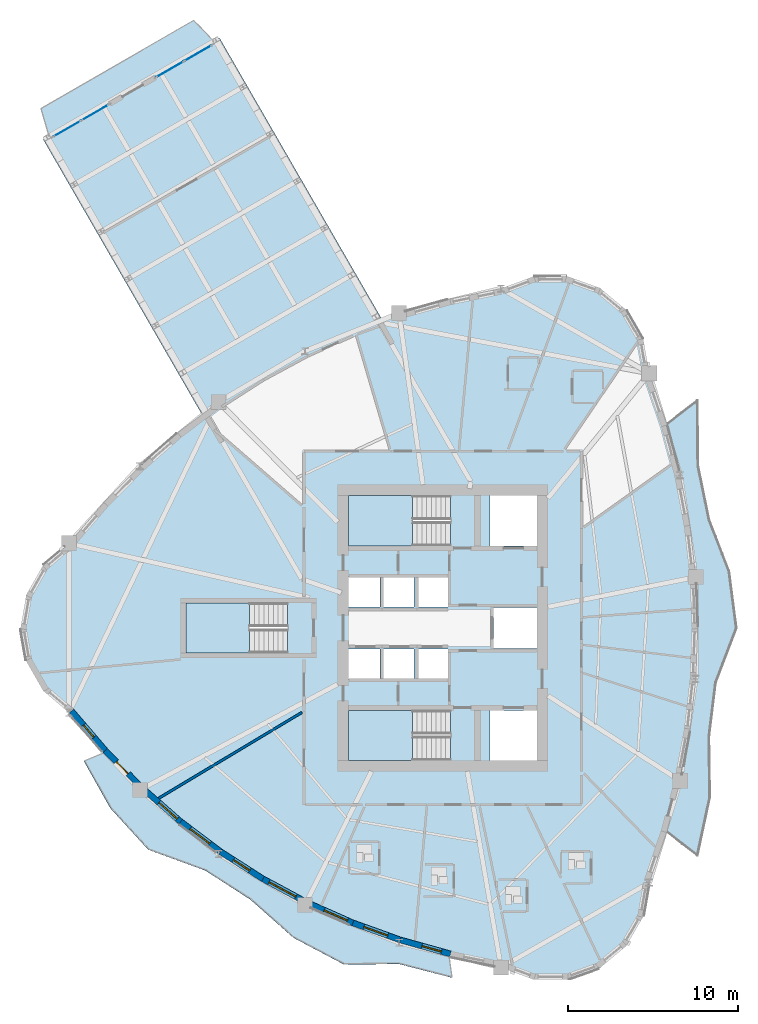
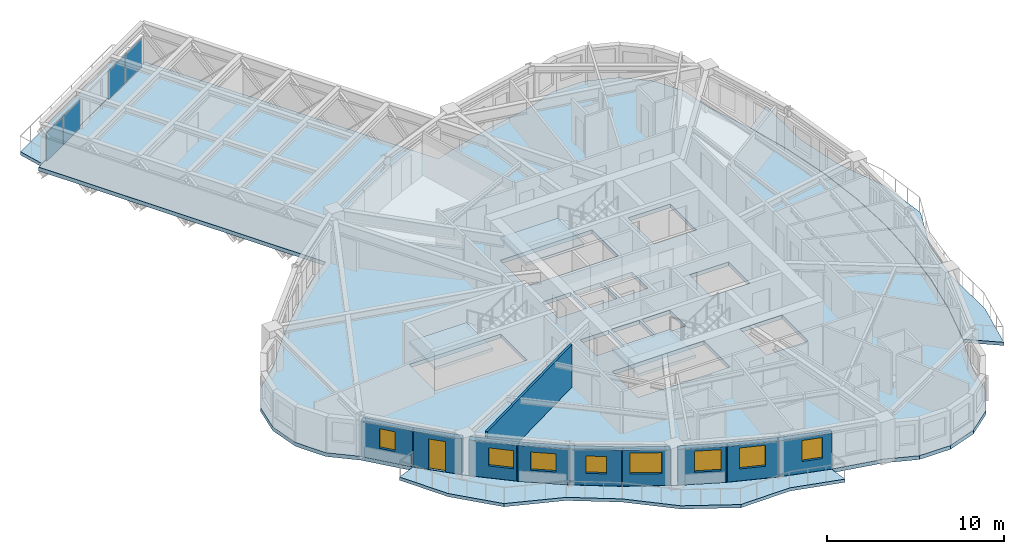
# One storey, part 4 of 14: 10 walls, 8 windows, 7 slabs, 4 plates, 1 door, 9 openings, 5 elements without a shape of their own.
"""IFC4 building model written with IfcOpenShell, lengths in metres."""

from ifc_helpers import new_model, si_unit, direction, frame, frame_2d, origin, origin_2d, place, context, subcontext, project, spatial, polyline, rectangle, outline, extrude, source, transform, mapped, material, layer, layer_set, type_object, element, fill, aggregate, save


model = new_model("IFC4")

# Units and contexts
model_context = context("Model", 3, precision=1e-05, world=origin(), true_north=direction((0.0, 1.0)))
body_context = subcontext(model_context, "Body", "Model", "MODEL_VIEW")
ifc_project = project(units=[si_unit("LENGTHUNIT", "METRE"), si_unit("AREAUNIT", "SQUARE_METRE"), si_unit("VOLUMEUNIT", "CUBIC_METRE"), si_unit("PLANEANGLEUNIT", "RADIAN"), si_unit("MASSUNIT", "GRAM", prefix="KILO")], contexts=[model_context])

# Site, building, storey
site_placement = place(None, origin())
site = spatial("IfcSite", under=ifc_project, at=site_placement, CompositionType="ELEMENT")
building_placement = place(site_placement, origin())
building = spatial("IfcBuilding", under=site, at=building_placement, Name="Qafzar Sky-Pleat Residences", CompositionType="ELEMENT")
storey_placement = place(building_placement, frame((0.0, 0.0, 83.199951171875)))
storey = spatial("IfcBuildingStorey", under=building, at=storey_placement, Name="L24", CompositionType="ELEMENT", Elevation=83.199951171875)

# Slabs
ifc_material_1 = material(Name="Concrete C40/50", Category="concrete")
ifc_layer_1 = layer(ifc_material_1, 0.219970703125)
ifc_layer_set_1 = layer_set([ifc_layer_1], Name="Concrete C40/50")
slab_type_1 = type_object("IfcSlabType", Name="SLAB-BAL-220", PredefinedType="USERDEFINED", material=ifc_layer_set_1)
slab_1_placement = place(storey_placement, frame((0.0, 0.0, -0.219970703125)))
element("IfcSlab", 1, at=slab_1_placement, inside=storey, type_object=slab_type_1, Name="L24 Pleated Stone Balcony 1", ObjectType="BALCONY", PredefinedType="USERDEFINED", context=body_context, shape_type="SweptSolid", body=[
    extrude(outline(polyline([(44.369384765625, 16.98291015625), (44.94091796875, 19.98828125), (45.28369140625, 22.994140625), (45.398193359375, 26.0), (45.28369140625, 29.005859375), (44.94091796875, 32.01171875), (44.369384765625, 35.01708984375), (43.5693359375, 38.0224609375), (45.4140625, 39.447021484375), (45.45361328125, 35.614501953125), (46.107421875, 32.425537109375), (47.291748046875, 29.35498046875), (47.72900390625, 26.0), (46.50341796875, 22.781982421875), (46.107421875, 19.574462890625), (46.154296875, 15.99951171875), (45.4140625, 12.552978515625), (43.5693359375, 13.9775390625), (44.369384765625, 16.98291015625)])), origin(), (0.0, 0.0, 1.0), 0.219970703125),
])
slab_2_placement = place(storey_placement, frame((0.0, 0.0, -0.219970703125)))
element("IfcSlab", 2, at=slab_2_placement, inside=storey, type_object=slab_type_1, Name="L24 Pleated Stone Balcony 2", ObjectType="BALCONY", PredefinedType="USERDEFINED", context=body_context, shape_type="SweptSolid", body=[
    extrude(outline(polyline([(12.482421875, 16.444580078125), (14.745849609375, 14.45703125), (17.123779296875, 12.6630859375), (19.615966796875, 11.063232421875), (22.22265625, 9.657470703125), (24.943359375, 8.445556640625), (27.7783203125, 7.427490234375), (30.727294921875, 6.603271484375), (30.89990234375, 5.37744140625), (27.763671875, 6.189453125), (24.543701171875, 6.149169921875), (21.543212890625, 7.73583984375), (19.010009765625, 9.98388671875), (16.34130859375, 11.703857421875), (12.98828125, 12.92626953125), (10.7470703125, 15.3759765625), (9.19091796875, 18.14892578125), (10.333251953125, 18.625732421875), (12.482421875, 16.444580078125)])), origin(), (0.0, 0.0, 1.0), 0.219970703125),
])
ifc_layer_2 = layer(ifc_material_1, 0.22998046875)
ifc_layer_set_2 = layer_set([ifc_layer_2], Name="Concrete C40/50")
slab_type_2 = type_object("IfcSlabType", Name="SLAB-BAL-230", PredefinedType="USERDEFINED", material=ifc_layer_set_2)
slab_3_placement = place(storey_placement, frame((0.0, 0.0, -0.22998046875)))
element("IfcSlab", 3, at=slab_3_placement, inside=storey, type_object=slab_type_2, Name="L24 SB-2 Tip Observation Balcony", ObjectType="BALCONY", PredefinedType="USERDEFINED", context=body_context, shape_type="SweptSolid", body=[
    extrude(outline(polyline([(16.830810546875, 60.6162109375), (15.666748046875, 61.83203125), (6.66015625, 56.632080078125), (7.131103515625, 55.01611328125), (16.830810546875, 60.6162109375)])), origin(), (0.0, 0.0, 1.0), 0.22998046875),
])

# Stair, slab
stair_type = type_object("IfcStairType", Name="STAIR-H320", PredefinedType="HALF_TURN_STAIR", material=ifc_material_1)
stair_1_placement = place(storey_placement, origin())
stair_1 = element("IfcStair", 4, at=stair_1_placement, inside=storey, type_object=stair_type, Name="L24 Protected Exit Stair ST1", PredefinedType="HALF_TURN_STAIR")
ifc_layer_3 = layer(ifc_material_1, 0.199951171875)
ifc_layer_set_3 = layer_set([ifc_layer_3], Name="Concrete C40/50")
slab_type_3 = type_object("IfcSlabType", Name="SLAB-LANDING-200", PredefinedType="LANDING", material=ifc_layer_set_3)
slab_4_placement = place(storey_placement, frame((0.0, 0.0, 1.400146484375)))
slab_4 = element("IfcSlab", 5, at=slab_4_placement, type_object=slab_type_3, Name="ST1 landing 1", PredefinedType="LANDING", context=body_context, shape_type="SweptSolid", body=[
    extrude(outline(polyline([(28.56005859375, 21.14990234375), (24.800048828125, 21.14990234375), (24.800048828125, 18.199951171875), (28.56005859375, 18.199951171875), (28.56005859375, 21.14990234375)])), origin(), (0.0, 0.0, 1.0), 0.199951171875),
])
aggregate(stair_1, [slab_4])

stair_2_placement = place(storey_placement, origin())
stair_2 = element("IfcStair", 6, at=stair_2_placement, inside=storey, type_object=stair_type, Name="L24 Protected Exit Stair ST2", PredefinedType="HALF_TURN_STAIR")
slab_5_placement = place(storey_placement, frame((0.0, 0.0, 1.400146484375)))
slab_5 = element("IfcSlab", 7, at=slab_5_placement, type_object=slab_type_3, Name="ST2 landing 1", PredefinedType="LANDING", context=body_context, shape_type="SweptSolid", body=[
    extrude(outline(polyline([(28.56005859375, 33.800048828125), (24.800048828125, 33.800048828125), (24.800048828125, 30.85009765625), (28.56005859375, 30.85009765625), (28.56005859375, 33.800048828125)])), origin(), (0.0, 0.0, 1.0), 0.199951171875),
])
aggregate(stair_2, [slab_5])

stair_3_placement = place(storey_placement, origin())
stair_3 = element("IfcStair", 8, at=stair_3_placement, inside=storey, type_object=stair_type, Name="L24 Protected Exit Stair ST3", PredefinedType="HALF_TURN_STAIR")
slab_6_placement = place(storey_placement, frame((0.0, 0.0, 1.400146484375)))
slab_6 = element("IfcSlab", 9, at=slab_6_placement, type_object=slab_type_3, Name="ST3 landing 1", PredefinedType="LANDING", context=body_context, shape_type="SweptSolid", body=[
    extrude(outline(polyline([(18.9599609375, 27.47509765625), (15.199951171875, 27.47509765625), (15.199951171875, 24.52490234375), (18.9599609375, 24.52490234375), (18.9599609375, 27.47509765625)])), origin(), (0.0, 0.0, 1.0), 0.199951171875),
])
aggregate(stair_3, [slab_6])

# Slab
ifc_layer_4 = layer(ifc_material_1, 0.264892578125)
ifc_layer_set_4 = layer_set([ifc_layer_4], Name="Concrete C40/50")
slab_type_4 = type_object("IfcSlabType", Name="SLAB-SB-265", PredefinedType="FLOOR", material=ifc_layer_set_4)
slab_7_placement = place(storey_placement, frame((0.0, 0.0, -0.264892578125)))
element("IfcSlab", 10, at=slab_7_placement, inside=storey, type_object=slab_type_4, Name="L24 Structural Floor Slab", PredefinedType="FLOOR", context=body_context, shape_type="SweptSolid", body=[
    extrude(outline(polyline([(27.778564453125, 44.560546875), (30.7255859375, 45.384765625), (33.787109375, 46.015380859375), (35.68212890625, 46.72314453125), (37.705078125, 46.73681640625), (39.609619140625, 46.054931640625), (41.164306640625, 44.760498046875), (42.1796875, 43.010986328125), (42.532470703125, 41.01904296875), (43.559814453125, 38.01513671875), (44.35888671875, 35.011474609375), (44.929443359375, 32.007568359375), (45.27197265625, 29.00390625), (45.385986328125, 26.0), (45.27197265625, 22.99609375), (44.929443359375, 19.992431640625), (44.35888671875, 16.988525390625), (43.559814453125, 13.98486328125), (42.532470703125, 10.98095703125), (42.1796875, 8.989013671875), (41.164306640625, 7.239501953125), (39.609619140625, 5.945068359375), (37.705078125, 5.26318359375), (35.68212890625, 5.27685546875), (33.787109375, 5.984619140625), (30.7255859375, 6.615234375), (27.778564453125, 7.439453125), (24.945556640625, 8.457275390625), (22.2265625, 9.668701171875), (19.621826171875, 11.07373046875), (17.13134765625, 12.672607421875), (14.7548828125, 14.46484375), (12.49267578125, 16.45068359375), (10.344482421875, 18.63037109375), (8.310302734375, 21.003662109375), (6.790283203125, 22.298828125), (5.7998046875, 24.03271484375), (5.455810546875, 26.0), (5.7998046875, 27.96728515625), (6.790283203125, 29.701171875), (8.310302734375, 30.996337890625), (10.344482421875, 33.36962890625), (12.49267578125, 35.54931640625), (14.7548828125, 37.53515625), (16.153076171875, 38.589599609375), (6.792236328125, 54.802978515625), (17.1845703125, 60.802978515625), (26.771240234375, 44.19873046875), (27.778564453125, 44.560546875)]), holes=[polyline([(30.797119140625, 21.14990234375), (24.800048828125, 21.14990234375), (24.800048828125, 18.199951171875), (30.797119140625, 18.199951171875), (30.797119140625, 21.14990234375)]), polyline([(30.797119140625, 33.800048828125), (24.800048828125, 33.800048828125), (24.800048828125, 30.85009765625), (30.797119140625, 30.85009765625), (30.797119140625, 33.800048828125)]), polyline([(21.197021484375, 27.47509765625), (15.199951171875, 27.47509765625), (15.199951171875, 24.52490234375), (21.197021484375, 24.52490234375), (21.197021484375, 27.47509765625)]), polyline([(24.800048828125, 22.949951171875), (26.64990234375, 22.949951171875), (26.64990234375, 24.75), (24.800048828125, 24.75), (24.800048828125, 22.949951171875)]), polyline([(26.800048828125, 22.949951171875), (28.64990234375, 22.949951171875), (28.64990234375, 24.75), (26.800048828125, 24.75), (26.800048828125, 22.949951171875)]), polyline([(28.800048828125, 22.949951171875), (30.64990234375, 22.949951171875), (30.64990234375, 24.75), (28.800048828125, 24.75), (28.800048828125, 22.949951171875)]), polyline([(24.800048828125, 27.25), (26.64990234375, 27.25), (26.64990234375, 29.050048828125), (24.800048828125, 29.050048828125), (24.800048828125, 27.25)]), polyline([(26.800048828125, 27.25), (28.64990234375, 27.25), (28.64990234375, 29.050048828125), (26.800048828125, 29.050048828125), (26.800048828125, 27.25)]), polyline([(28.800048828125, 27.25), (30.64990234375, 27.25), (30.64990234375, 29.050048828125), (28.800048828125, 29.050048828125), (28.800048828125, 27.25)]), polyline([(33.14990234375, 18.199951171875), (35.89990234375, 18.199951171875), (35.89990234375, 21.14990234375), (33.14990234375, 21.14990234375), (33.14990234375, 18.199951171875)]), polyline([(33.14990234375, 30.85009765625), (35.89990234375, 30.85009765625), (35.89990234375, 33.800048828125), (33.14990234375, 33.800048828125), (33.14990234375, 30.85009765625)]), polyline([(33.35009765625, 24.800048828125), (35.89990234375, 24.800048828125), (35.89990234375, 27.199951171875), (33.35009765625, 27.199951171875), (33.35009765625, 24.800048828125)])]), origin(), (0.0, 0.0, 1.0), 0.264892578125),
])

# Curtain wall, plates
ifc_material_2 = material(Name="Anodised bronze aluminium framing", Category="aluminium")
ifc_layer_5 = layer(ifc_material_2, 0.239990234375)
ifc_layer_set_5 = layer_set([ifc_layer_5], Name="Anodised bronze aluminium framing")
curtain_wall_type_1 = type_object("IfcCurtainWallType", Name="CW-SYS-02", PredefinedType="NOTDEFINED", material=ifc_layer_set_5)
curtain_wall_1_placement = place(storey_placement, origin())
curtain_wall_1 = element("IfcCurtainWall", 11, at=curtain_wall_1_placement, inside=storey, type_object=curtain_wall_type_1, Name="L24 CW-02 Curtain Wall CW-L24-SB-2-PROW-L", PredefinedType="NOTDEFINED")
ifc_material_3 = material(Name="Solar-control double low-E glazing", Category="glass")
ifc_layer_6 = layer(ifc_material_3, 0.031982421875)
ifc_layer_set_6 = layer_set([ifc_layer_6], Name="Solar-control double low-E glazing")
plate_type_1 = type_object("IfcPlateType", Name="CWP-02", PredefinedType="CURTAIN_PANEL", material=ifc_layer_set_6)
shared_shape_1 = source(origin(), body_context, "Body", "SweptSolid", [
    extrude(rectangle(XDim=1.827392578125, YDim=0.031982421875, at=origin_2d()), origin(), (0.0, 0.0, 1.0), 1.965087890625),
])
plate_1_placement = place(storey_placement, frame((8.20849609375, 55.447509765625, 0.0751953125), z_axis=(0.0, 0.0, 1.0), x_axis=(0.86602678479, 0.49999760802, 0.0)))
plate_1 = element("IfcPlate", 12, at=plate_1_placement, type_object=plate_type_1, Name="CW-02 panel 1.1", PredefinedType="CURTAIN_PANEL", context=body_context, shape_type="MappedRepresentation", body=[
    mapped(shared_shape_1, transform((0.0, 0.0, 0.0), x_axis=(1.0, 0.0, 0.0), y_axis=(0.0, 1.0, 0.0), z_axis=(0.0, 0.0, 1.0), scale=1.0)),
])
plate_2_placement = place(storey_placement, frame((9.856201171875, 56.398681640625, 0.0751953125), z_axis=(0.0, 0.0, 1.0), x_axis=(0.86602678479, 0.49999760802, 0.0)))
plate_2 = element("IfcPlate", 13, at=plate_2_placement, type_object=plate_type_1, Name="CW-02 panel 2.1", PredefinedType="CURTAIN_PANEL", context=body_context, shape_type="MappedRepresentation", body=[
    mapped(shared_shape_1, transform((0.0, 0.0, 0.0), x_axis=(1.0, 0.0, 0.0), y_axis=(0.0, 1.0, 0.0), z_axis=(0.0, 0.0, 1.0), scale=1.0)),
])
aggregate(curtain_wall_1, [plate_1, plate_2])

ifc_layer_7 = layer(ifc_material_2, 0.219970703125)
ifc_layer_set_7 = layer_set([ifc_layer_7], Name="Anodised bronze aluminium framing")
curtain_wall_type_2 = type_object("IfcCurtainWallType", Name="CW-SYS-03", PredefinedType="NOTDEFINED", material=ifc_layer_set_7)
curtain_wall_2_placement = place(storey_placement, origin())
curtain_wall_2 = element("IfcCurtainWall", 14, at=curtain_wall_2_placement, inside=storey, type_object=curtain_wall_type_2, Name="L24 CW-03 Curtain Wall CW-L24-SB-2-PROW-R", PredefinedType="NOTDEFINED")
ifc_layer_8 = layer(ifc_material_3, 0.030029296875)
ifc_layer_set_8 = layer_set([ifc_layer_8], Name="Solar-control double low-E glazing")
plate_type_2 = type_object("IfcPlateType", Name="CWP-03", PredefinedType="CURTAIN_PANEL", material=ifc_layer_set_8)
shared_shape_2 = source(origin(), body_context, "Body", "SweptSolid", [
    extrude(rectangle(XDim=1.8349609375, YDim=0.030029296875, at=origin_2d()), origin(), (0.0, 0.0, 1.0), 1.97509765625),
])
plate_3_placement = place(storey_placement, frame((14.269775390625, 58.94677734375, 0.070068359375), z_axis=(0.0, 0.0, 1.0), x_axis=(0.86602678479, 0.49999760802, 0.0)))
plate_3 = element("IfcPlate", 15, at=plate_3_placement, type_object=plate_type_2, Name="CW-03 panel 1.1", PredefinedType="CURTAIN_PANEL", context=body_context, shape_type="MappedRepresentation", body=[
    mapped(shared_shape_2, transform((0.0, 0.0, 0.0), x_axis=(1.0, 0.0, 0.0), y_axis=(0.0, 1.0, 0.0), z_axis=(0.0, 0.0, 1.0), scale=1.0)),
])
plate_4_placement = place(storey_placement, frame((15.91943359375, 59.8994140625, 0.070068359375), z_axis=(0.0, 0.0, 1.0), x_axis=(0.86602678479, 0.49999760802, 0.0)))
plate_4 = element("IfcPlate", 16, at=plate_4_placement, type_object=plate_type_2, Name="CW-03 panel 2.1", PredefinedType="CURTAIN_PANEL", context=body_context, shape_type="MappedRepresentation", body=[
    mapped(shared_shape_2, transform((0.0, 0.0, 0.0), x_axis=(1.0, 0.0, 0.0), y_axis=(0.0, 1.0, 0.0), z_axis=(0.0, 0.0, 1.0), scale=1.0)),
])
aggregate(curtain_wall_2, [plate_3, plate_4])

# Wall
ifc_material_4 = material(Name="Acoustic gypsum plasterboard partition", Category="gypsum")
ifc_layer_9 = layer(ifc_material_4, 0.14501953125)
ifc_layer_set_9 = layer_set([ifc_layer_9], Name="Acoustic gypsum plasterboard partition")
wall_type_1 = type_object("IfcWallType", Name="PART-UNIT-145", PredefinedType="PARTITIONING", material=ifc_layer_set_9)
wall_1_placement = place(storey_placement, frame((13.601318359375, 15.95849609375, 0.0), z_axis=(0.0, 0.0, 1.0), x_axis=(0.857661345212, 0.514214952066, 0.0)))
element("IfcWall", 17, at=wall_1_placement, inside=storey, type_object=wall_type_1, Name="L24 Partition Wall PART-L24-PW-025", PredefinedType="PARTITIONING", context=body_context, shape_type="SweptSolid", body=[
    extrude(rectangle(XDim=9.845947265625, YDim=0.14501953125, at=frame_2d((4.9228515625, 0.0))), origin(), (0.0, 0.0, 1.0), 2.93505859375),
])

# Wall, opening, window
ifc_material_5 = material(Name="Precast concrete C40/50 with honed Riyadh limestone", Category="concrete")
ifc_layer_10 = layer(ifc_material_5, 0.35009765625)
ifc_layer_set_10 = layer_set([ifc_layer_10], Name="Precast concrete C40/50 with honed Riyadh limestone")
wall_type_2 = type_object("IfcWallType", Name="WALL-EXT-350", PredefinedType="SOLIDWALL", material=ifc_layer_set_10)
wall_2_placement = place(storey_placement, frame((8.456298828125, 21.102294921875, 0.0), z_axis=(0.0, 0.0, 1.0), x_axis=(0.650733809993, -0.759305938692, 0.0)))
wall_2 = element("IfcWall", 18, at=wall_2_placement, inside=storey, type_object=wall_type_2, Name="L24 Limestone Facade Wall 7", PredefinedType="SOLIDWALL", context=body_context, shape_type="SweptSolid", body=[
    extrude(rectangle(XDim=3.1435546875, YDim=0.35009765625, at=frame_2d((1.57177734375, 0.0))), origin(), (0.0, 0.0, 1.0), 2.465087890625),
])
opening_1_placement = place(wall_2_placement, frame((1.0869140625, 0.0, 0.820068359375)))
opening_1 = element("IfcOpeningElement", 19, at=opening_1_placement, cuts=wall_2, Name="Opening WN-12", PredefinedType="OPENING", context=body_context, shape_type="SweptSolid", body=[
    extrude(rectangle(XDim=0.949951171875, YDim=1.35009765625, at=frame_2d((0.47509765625, 0.675048828125))), frame((0.0, 0.18505859375, 0.0), z_axis=(0.0, -1.0, 0.0), x_axis=(1.0, 0.0, 0.0)), (0.0, 0.0, 1.0), 0.3701171875),
])
ifc_material_6 = material(Name="Solar-control low-E glass in bronze aluminium frame", Category="glass")
window_type_1 = type_object("IfcWindowType", Name="WIN-12", PartitioningType="SINGLE_PANEL", PredefinedType="WINDOW", material=ifc_material_6)
shared_shape_3 = source(origin(), body_context, "Body", "SweptSolid", [
    extrude(rectangle(XDim=0.949951171875, YDim=1.35009765625, at=frame_2d((0.47509765625, 0.675048828125))), frame((0.0, 0.030029296875, 0.0), z_axis=(0.0, -1.0, 0.0), x_axis=(1.0, 0.0, 0.0)), (0.0, 0.0, 1.0), 0.06005859375),
])
window_1_placement = place(opening_1_placement, origin())
window_1 = element("IfcWindow", 20, at=window_1_placement, inside=storey, type_object=window_type_1, Name="L24 Punched Facade Window 07", OverallHeight=1.35009765625, OverallWidth=0.949951171875, PartitioningType="SINGLE_PANEL", PredefinedType="WINDOW", context=body_context, shape_type="MappedRepresentation", body=[
    mapped(shared_shape_3, transform((0.0, 0.0, 0.0), x_axis=(1.0, 0.0, 0.0), y_axis=(0.0, 1.0, 0.0), z_axis=(0.0, 0.0, 1.0), scale=1.0)),
])
fill(opening_1, window_1)

# Wall, opening, door
wall_3_placement = place(storey_placement, frame((10.4423828125, 18.7802734375, 0.0), z_axis=(0.0, 0.0, 1.0), x_axis=(0.7019473345, -0.712228853381, 0.0)))
wall_3 = element("IfcWall", 21, at=wall_3_placement, inside=storey, type_object=wall_type_2, Name="L24 Limestone Facade Wall 8", PredefinedType="SOLIDWALL", context=body_context, shape_type="SweptSolid", body=[
    extrude(rectangle(XDim=2.873291015625, YDim=0.35009765625, at=frame_2d((1.4365234375, 0.0))), origin(), (0.0, 0.0, 1.0), 2.465087890625),
])
opening_2_placement = place(wall_3_placement, frame((0.9365234375, 0.0, 0.0)))
opening_2 = element("IfcOpeningElement", 22, at=opening_2_placement, cuts=wall_3, Name="Opening ED-05", PredefinedType="OPENING", context=body_context, shape_type="SweptSolid", body=[
    extrude(rectangle(XDim=1.0, YDim=2.10009765625, at=frame_2d((0.5, 1.050048828125))), frame((0.0, 0.18505859375, 0.0), z_axis=(0.0, -1.0, 0.0), x_axis=(1.0, 0.0, 0.0)), (0.0, 0.0, 1.0), 0.3701171875),
])
ifc_material_7 = material(Name="Glazed bronze aluminium door", Category="aluminium")
door_type = type_object("IfcDoorType", Name="DR-BAL-1000", OperationType="NOTDEFINED", PredefinedType="DOOR", material=ifc_material_7)
shared_shape_4 = source(origin(), body_context, "Body", "SweptSolid", [
    extrude(rectangle(XDim=1.0, YDim=2.10009765625, at=frame_2d((0.5, 1.050048828125))), frame((0.0, 0.02490234375, 0.0), z_axis=(0.0, -1.0, 0.0), x_axis=(1.0, 0.0, 0.0)), (0.0, 0.0, 1.0), 0.050048828125),
])
door_placement = place(opening_2_placement, origin())
door = element("IfcDoor", 23, at=door_placement, inside=storey, type_object=door_type, Name="L24 Glazed Balcony Door 2", OperationType="SINGLE_SWING_LEFT", OverallHeight=2.10009765625, OverallWidth=1.0, PredefinedType="DOOR", context=body_context, shape_type="MappedRepresentation", body=[
    mapped(shared_shape_4, transform((0.0, 0.0, 0.0), x_axis=(1.0, 0.0, 0.0), y_axis=(0.0, 1.0, 0.0), z_axis=(0.0, 0.0, 1.0), scale=1.0)),
])
fill(opening_2, door)

# Wall, opening, window
wall_4_placement = place(storey_placement, frame((12.777099609375, 16.433837890625, 0.0), z_axis=(0.0, 0.0, 1.0), x_axis=(0.751531192513, -0.659697556976, 0.0)))
wall_4 = element("IfcWall", 24, at=wall_4_placement, inside=storey, type_object=wall_type_2, Name="L24 Limestone Facade Wall 9", PredefinedType="SOLIDWALL", context=body_context, shape_type="SweptSolid", body=[
    extrude(rectangle(XDim=2.8232421875, YDim=0.35009765625, at=frame_2d((1.41162109375, 0.0))), origin(), (0.0, 0.0, 1.0), 2.465087890625),
])
opening_3_placement = place(wall_4_placement, frame((1.109619140625, 0.0, 0.820068359375)))
opening_3 = element("IfcOpeningElement", 25, at=opening_3_placement, cuts=wall_4, Name="Opening WN-15", PredefinedType="OPENING", context=body_context, shape_type="SweptSolid", body=[
    extrude(rectangle(XDim=1.449951171875, YDim=1.25, at=frame_2d((0.72509765625, 0.625))), frame((0.0, 0.18505859375, 0.0), z_axis=(0.0, -1.0, 0.0), x_axis=(1.0, 0.0, 0.0)), (0.0, 0.0, 1.0), 0.3701171875),
])
window_type_2 = type_object("IfcWindowType", Name="WIN-15", PartitioningType="SINGLE_PANEL", PredefinedType="WINDOW", material=ifc_material_6)
shared_shape_5 = source(origin(), body_context, "Body", "SweptSolid", [
    extrude(rectangle(XDim=1.449951171875, YDim=1.25, at=frame_2d((0.72509765625, 0.625))), frame((0.0, 0.030029296875, 0.0), z_axis=(0.0, -1.0, 0.0), x_axis=(1.0, 0.0, 0.0)), (0.0, 0.0, 1.0), 0.06005859375),
])
window_2_placement = place(opening_3_placement, origin())
window_2 = element("IfcWindow", 26, at=window_2_placement, inside=storey, type_object=window_type_2, Name="L24 Punched Facade Window 09-2", OverallHeight=1.25, OverallWidth=1.449951171875, PartitioningType="SINGLE_PANEL", PredefinedType="WINDOW", context=body_context, shape_type="MappedRepresentation", body=[
    mapped(shared_shape_5, transform((0.0, 0.0, 0.0), x_axis=(1.0, 0.0, 0.0), y_axis=(0.0, 1.0, 0.0), z_axis=(0.0, 0.0, 1.0), scale=1.0)),
])
fill(opening_3, window_2)

wall_5_placement = place(storey_placement, frame((14.829833984375, 14.62744140625, 0.0), z_axis=(0.0, 0.0, 1.0), x_axis=(0.798382892471, -0.602150111691, 0.0)))
wall_5 = element("IfcWall", 27, at=wall_5_placement, inside=storey, type_object=wall_type_2, Name="L24 Limestone Facade Wall 10", PredefinedType="SOLIDWALL", context=body_context, shape_type="SweptSolid", body=[
    extrude(rectangle(XDim=2.99462890625, YDim=0.35009765625, at=frame_2d((1.497314453125, 0.0))), origin(), (0.0, 0.0, 1.0), 2.465087890625),
])
opening_4_placement = place(wall_5_placement, frame((0.7822265625, 0.0, 0.820068359375)))
opening_4 = element("IfcOpeningElement", 28, at=opening_4_placement, cuts=wall_5, Name="Opening WN-15", PredefinedType="OPENING", context=body_context, shape_type="SweptSolid", body=[
    extrude(rectangle(XDim=1.449951171875, YDim=1.25, at=frame_2d((0.72509765625, 0.625))), frame((0.0, 0.18505859375, 0.0), z_axis=(0.0, -1.0, 0.0), x_axis=(1.0, 0.0, 0.0)), (0.0, 0.0, 1.0), 0.3701171875),
])
window_3_placement = place(opening_4_placement, origin())
window_3 = element("IfcWindow", 29, at=window_3_placement, inside=storey, type_object=window_type_2, Name="L24 Punched Facade Window 10", OverallHeight=1.25, OverallWidth=1.449951171875, PartitioningType="SINGLE_PANEL", PredefinedType="WINDOW", context=body_context, shape_type="MappedRepresentation", body=[
    mapped(shared_shape_5, transform((0.0, 0.0, 0.0), x_axis=(1.0, 0.0, 0.0), y_axis=(0.0, 1.0, 0.0), z_axis=(0.0, 0.0, 1.0), scale=1.0)),
])
fill(opening_4, window_3)

wall_6_placement = place(storey_placement, frame((17.24267578125, 12.80908203125, 0.0), z_axis=(0.0, 0.0, 1.0), x_axis=(0.84150067635, -0.540256061236, 0.0)))
wall_6 = element("IfcWall", 30, at=wall_6_placement, inside=storey, type_object=wall_type_2, Name="L24 Limestone Facade Wall 11", PredefinedType="SOLIDWALL", context=body_context, shape_type="SweptSolid", body=[
    extrude(rectangle(XDim=2.9775390625, YDim=0.35009765625, at=frame_2d((1.48876953125, 0.0))), origin(), (0.0, 0.0, 1.0), 2.465087890625),
])
opening_5_placement = place(wall_6_placement, frame((0.90380859375, 0.0, 0.820068359375)))
opening_5 = element("IfcOpeningElement", 31, at=opening_5_placement, cuts=wall_6, Name="Opening WN-16", PredefinedType="OPENING", context=body_context, shape_type="SweptSolid", body=[
    extrude(rectangle(XDim=1.14990234375, YDim=1.199951171875, at=frame_2d((0.574951171875, 0.60009765625))), frame((0.0, 0.18505859375, 0.0), z_axis=(0.0, -1.0, 0.0), x_axis=(1.0, 0.0, 0.0)), (0.0, 0.0, 1.0), 0.3701171875),
])
window_type_3 = type_object("IfcWindowType", Name="WIN-16", PartitioningType="SINGLE_PANEL", PredefinedType="WINDOW", material=ifc_material_6)
shared_shape_6 = source(origin(), body_context, "Body", "SweptSolid", [
    extrude(rectangle(XDim=1.14990234375, YDim=1.199951171875, at=frame_2d((0.574951171875, 0.60009765625))), frame((0.0, 0.030029296875, 0.0), z_axis=(0.0, -1.0, 0.0), x_axis=(1.0, 0.0, 0.0)), (0.0, 0.0, 1.0), 0.06005859375),
])
window_4_placement = place(opening_5_placement, origin())
window_4 = element("IfcWindow", 32, at=window_4_placement, inside=storey, type_object=window_type_3, Name="L24 Punched Facade Window 11", OverallHeight=1.199951171875, OverallWidth=1.14990234375, PartitioningType="SINGLE_PANEL", PredefinedType="WINDOW", context=body_context, shape_type="MappedRepresentation", body=[
    mapped(shared_shape_6, transform((0.0, 0.0, 0.0), x_axis=(1.0, 0.0, 0.0), y_axis=(0.0, 1.0, 0.0), z_axis=(0.0, 0.0, 1.0), scale=1.0)),
])
fill(opening_5, window_4)

wall_7_placement = place(storey_placement, frame((19.67138671875, 11.245849609375, 0.0), z_axis=(0.0, 0.0, 1.0), x_axis=(0.880120285763, -0.474750758387, 0.0)))
wall_7 = element("IfcWall", 33, at=wall_7_placement, inside=storey, type_object=wall_type_2, Name="L24 Limestone Facade Wall 12", PredefinedType="SOLIDWALL", context=body_context, shape_type="SweptSolid", body=[
    extrude(rectangle(XDim=2.77294921875, YDim=0.35009765625, at=frame_2d((1.386474609375, 0.0))), origin(), (0.0, 0.0, 1.0), 2.465087890625),
])
opening_6_placement = place(wall_7_placement, frame((0.4912109375, 0.0, 0.820068359375)))
opening_6 = element("IfcOpeningElement", 34, at=opening_6_placement, cuts=wall_7, Name="Opening WN-01", PredefinedType="OPENING", context=body_context, shape_type="SweptSolid", body=[
    extrude(rectangle(XDim=1.800048828125, YDim=1.449951171875, at=frame_2d((0.89990234375, 0.72509765625))), frame((0.0, 0.18505859375, 0.0), z_axis=(0.0, -1.0, 0.0), x_axis=(1.0, 0.0, 0.0)), (0.0, 0.0, 1.0), 0.3701171875),
])
window_type_4 = type_object("IfcWindowType", Name="WIN-01", PartitioningType="DOUBLE_PANEL_VERTICAL", PredefinedType="WINDOW", material=ifc_material_6)
shared_shape_7 = source(origin(), body_context, "Body", "SweptSolid", [
    extrude(rectangle(XDim=1.800048828125, YDim=1.449951171875, at=frame_2d((0.89990234375, 0.72509765625))), frame((0.0, 0.030029296875, 0.0), z_axis=(0.0, -1.0, 0.0), x_axis=(1.0, 0.0, 0.0)), (0.0, 0.0, 1.0), 0.06005859375),
])
window_5_placement = place(opening_6_placement, origin())
window_5 = element("IfcWindow", 35, at=window_5_placement, inside=storey, type_object=window_type_4, Name="L24 Punched Facade Window 12", OverallHeight=1.449951171875, OverallWidth=1.800048828125, PartitioningType="SINGLE_PANEL", PredefinedType="WINDOW", context=body_context, shape_type="MappedRepresentation", body=[
    mapped(shared_shape_7, transform((0.0, 0.0, 0.0), x_axis=(1.0, 0.0, 0.0), y_axis=(0.0, 1.0, 0.0), z_axis=(0.0, 0.0, 1.0), scale=1.0)),
])
fill(opening_6, window_5)

wall_8_placement = place(storey_placement, frame((22.50341796875, 9.737060546875, 0.0), z_axis=(0.0, 0.0, 1.0), x_axis=(0.913443049169, -0.406966578388, 0.0)))
wall_8 = element("IfcWall", 36, at=wall_8_placement, inside=storey, type_object=wall_type_2, Name="L24 Limestone Facade Wall 13", PredefinedType="SOLIDWALL", context=body_context, shape_type="SweptSolid", body=[
    extrude(rectangle(XDim=2.78955078125, YDim=0.35009765625, at=frame_2d((1.394775390625, 0.0))), origin(), (0.0, 0.0, 1.0), 2.465087890625),
])
opening_7_placement = place(wall_8_placement, frame((0.93798828125, 0.0, 0.820068359375)))
opening_7 = element("IfcOpeningElement", 37, at=opening_7_placement, cuts=wall_8, Name="Opening WN-03", PredefinedType="OPENING", context=body_context, shape_type="SweptSolid", body=[
    extrude(rectangle(XDim=1.5, YDim=1.449951171875, at=frame_2d((0.75, 0.72509765625))), frame((0.0, 0.18505859375, 0.0), z_axis=(0.0, -1.0, 0.0), x_axis=(1.0, 0.0, 0.0)), (0.0, 0.0, 1.0), 0.3701171875),
])
window_type_5 = type_object("IfcWindowType", Name="WIN-03", PartitioningType="DOUBLE_PANEL_VERTICAL", PredefinedType="WINDOW", material=ifc_material_6)
shared_shape_8 = source(origin(), body_context, "Body", "SweptSolid", [
    extrude(rectangle(XDim=1.5, YDim=1.449951171875, at=frame_2d((0.75, 0.72509765625))), frame((0.0, 0.030029296875, 0.0), z_axis=(0.0, -1.0, 0.0), x_axis=(1.0, 0.0, 0.0)), (0.0, 0.0, 1.0), 0.06005859375),
])
window_6_placement = place(opening_7_placement, origin())
window_6 = element("IfcWindow", 38, at=window_6_placement, inside=storey, type_object=window_type_5, Name="L24 Punched Facade Window 13-2", OverallHeight=1.449951171875, OverallWidth=1.5, PartitioningType="SINGLE_PANEL", PredefinedType="WINDOW", context=body_context, shape_type="MappedRepresentation", body=[
    mapped(shared_shape_8, transform((0.0, 0.0, 0.0), x_axis=(1.0, 0.0, 0.0), y_axis=(0.0, 1.0, 0.0), z_axis=(0.0, 0.0, 1.0), scale=1.0)),
])
fill(opening_7, window_6)

wall_9_placement = place(storey_placement, frame((24.968994140625, 8.634765625, 0.0), z_axis=(0.0, 0.0, 1.0), x_axis=(0.941099972293, -0.338128440315, 0.0)))
wall_9 = element("IfcWall", 39, at=wall_9_placement, inside=storey, type_object=wall_type_2, Name="L24 Limestone Facade Wall 14", PredefinedType="SOLIDWALL", context=body_context, shape_type="SweptSolid", body=[
    extrude(rectangle(XDim=3.0283203125, YDim=0.35009765625, at=frame_2d((1.51416015625, 0.0))), origin(), (0.0, 0.0, 1.0), 2.465087890625),
])
opening_8_placement = place(wall_9_placement, frame((0.774169921875, 0.0, 0.820068359375)))
opening_8 = element("IfcOpeningElement", 40, at=opening_8_placement, cuts=wall_9, Name="Opening WN-03", PredefinedType="OPENING", context=body_context, shape_type="SweptSolid", body=[
    extrude(rectangle(XDim=1.5, YDim=1.449951171875, at=frame_2d((0.75, 0.72509765625))), frame((0.0, 0.18505859375, 0.0), z_axis=(0.0, -1.0, 0.0), x_axis=(1.0, 0.0, 0.0)), (0.0, 0.0, 1.0), 0.3701171875),
])
window_7_placement = place(opening_8_placement, origin())
window_7 = element("IfcWindow", 41, at=window_7_placement, inside=storey, type_object=window_type_5, Name="L24 Punched Facade Window 14", OverallHeight=1.449951171875, OverallWidth=1.5, PartitioningType="SINGLE_PANEL", PredefinedType="WINDOW", context=body_context, shape_type="MappedRepresentation", body=[
    mapped(shared_shape_8, transform((0.0, 0.0, 0.0), x_axis=(1.0, 0.0, 0.0), y_axis=(0.0, 1.0, 0.0), z_axis=(0.0, 0.0, 1.0), scale=1.0)),
])
fill(opening_8, window_7)

wall_10_placement = place(storey_placement, frame((27.844970703125, 7.6025390625, 0.0), z_axis=(0.0, 0.0, 1.0), x_axis=(0.963041412051, -0.269353371382, 0.0)))
wall_10 = element("IfcWall", 42, at=wall_10_placement, inside=storey, type_object=wall_type_2, Name="L24 Limestone Facade Wall 15", PredefinedType="SOLIDWALL", context=body_context, shape_type="SweptSolid", body=[
    extrude(rectangle(XDim=3.078125, YDim=0.35009765625, at=frame_2d((1.5390625, 0.0))), origin(), (0.0, 0.0, 1.0), 2.465087890625),
])
opening_9_placement = place(wall_10_placement, frame((1.32421875, 0.0, 0.820068359375)))
opening_9 = element("IfcOpeningElement", 43, at=opening_9_placement, cuts=wall_10, Name="Opening WN-05", PredefinedType="OPENING", context=body_context, shape_type="SweptSolid", body=[
    extrude(rectangle(XDim=1.199951171875, YDim=1.449951171875, at=frame_2d((0.60009765625, 0.72509765625))), frame((0.0, 0.18505859375, 0.0), z_axis=(0.0, -1.0, 0.0), x_axis=(1.0, 0.0, 0.0)), (0.0, 0.0, 1.0), 0.3701171875),
])
window_type_6 = type_object("IfcWindowType", Name="WIN-05", PartitioningType="SINGLE_PANEL", PredefinedType="WINDOW", material=ifc_material_6)
shared_shape_9 = source(origin(), body_context, "Body", "SweptSolid", [
    extrude(rectangle(XDim=1.199951171875, YDim=1.449951171875, at=frame_2d((0.60009765625, 0.72509765625))), frame((0.0, 0.030029296875, 0.0), z_axis=(0.0, -1.0, 0.0), x_axis=(1.0, 0.0, 0.0)), (0.0, 0.0, 1.0), 0.06005859375),
])
window_8_placement = place(opening_9_placement, origin())
window_8 = element("IfcWindow", 44, at=window_8_placement, inside=storey, type_object=window_type_6, Name="L24 Punched Facade Window 15-2", OverallHeight=1.449951171875, OverallWidth=1.199951171875, PartitioningType="SINGLE_PANEL", PredefinedType="WINDOW", context=body_context, shape_type="MappedRepresentation", body=[
    mapped(shared_shape_9, transform((0.0, 0.0, 0.0), x_axis=(1.0, 0.0, 0.0), y_axis=(0.0, 1.0, 0.0), z_axis=(0.0, 0.0, 1.0), scale=1.0)),
])
fill(opening_9, window_8)

save(model, "model.ifc")
